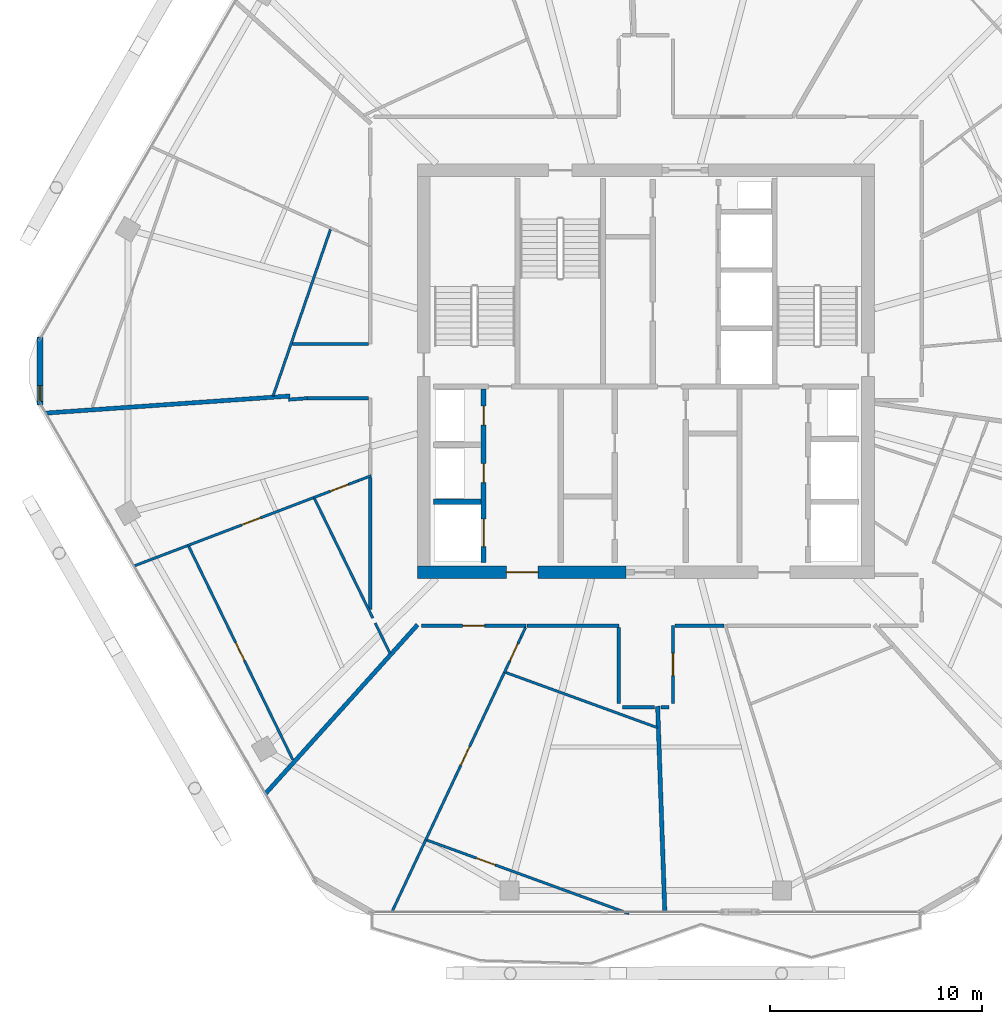
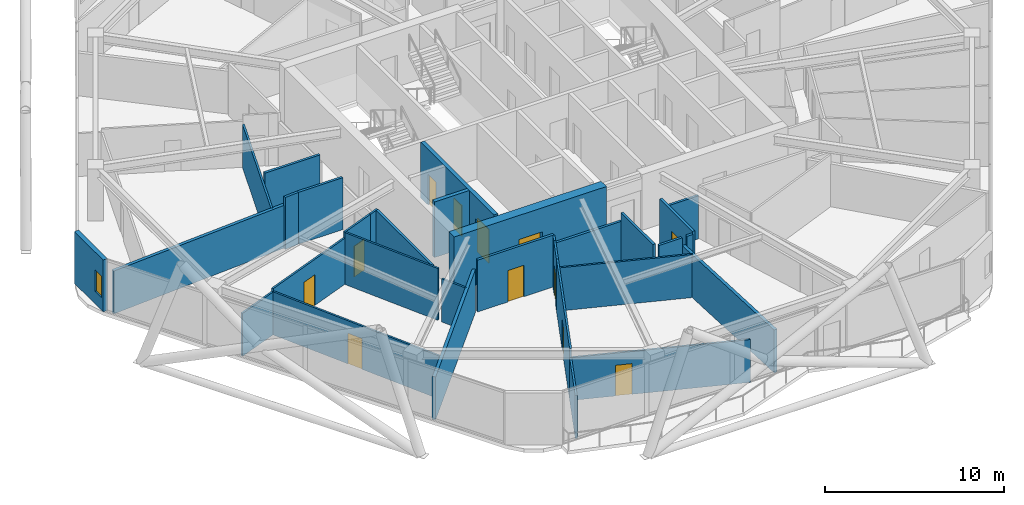
# One storey, part 20 of 26: 32 walls, 12 doors, 1 window, 13 openings.
"""IFC4 building model written with IfcOpenShell, lengths in metres."""

from ifc_helpers import new_model, si_unit, direction, frame, frame_2d, origin, place, context, subcontext, project, spatial, rectangle, extrude, material, layer, layer_set, type_object, element, fill, save


model = new_model("IFC4")

# Units and contexts
model_context = context("Model", 3, precision=1e-05, world=origin(), true_north=direction((0.0, 1.0)))
body_context = subcontext(model_context, "Body", "Model", "MODEL_VIEW")
ifc_project = project(units=[si_unit("LENGTHUNIT", "METRE"), si_unit("AREAUNIT", "SQUARE_METRE"), si_unit("VOLUMEUNIT", "CUBIC_METRE"), si_unit("PLANEANGLEUNIT", "RADIAN"), si_unit("MASSUNIT", "GRAM", prefix="KILO")], contexts=[model_context])

# Site, building, storey
site_placement = place(None, origin())
site = spatial("IfcSite", under=ifc_project, at=site_placement, CompositionType="ELEMENT")
building_placement = place(site_placement, origin())
building = spatial("IfcBuilding", under=site, at=building_placement, Name="Zuhravey Tower", CompositionType="ELEMENT")
storey_placement = place(building_placement, frame((0.0, 0.0, 231.199951171875)))
storey = spatial("IfcBuildingStorey", under=building, at=storey_placement, Name="L58", CompositionType="ELEMENT", Elevation=231.199951171875)

# Wall, opening, door
ifc_material_1 = material(Name="Concrete C50/60", Category="concrete")
ifc_layer_1 = layer(ifc_material_1, 0.60009765625)
ifc_layer_set_1 = layer_set([ifc_layer_1], Name="Concrete C50/60")
wall_type_1 = type_object("IfcWallType", Name="Core Shear Wall 600", PredefinedType="SHEAR", material=ifc_layer_set_1)
wall_1_placement = place(storey_placement, frame((25.199951171875, 22.5, 0.0), z_axis=(0.0, 0.0, 1.0), x_axis=(1.0, 0.0, 0.0)))
wall_1 = element("IfcWall", 1, at=wall_1_placement, inside=storey, type_object=wall_type_1, Name="L58 South-West Core Shear Wall CW60", PredefinedType="SHEAR", context=body_context, shape_type="SweptSolid", body=[
    extrude(rectangle(XDim=9.85009765625, YDim=0.60009765625, at=frame_2d((4.925048828125, 0.0))), origin(), (0.0, 0.0, 1.0), 3.800048828125),
])
opening_1_placement = place(wall_1_placement, frame((4.199951171875, 0.0, 0.0)))
opening_1 = element("IfcOpeningElement", 2, at=opening_1_placement, cuts=wall_1, Name="Opening FFD1", PredefinedType="OPENING", context=body_context, shape_type="SweptSolid", body=[
    extrude(rectangle(XDim=1.5, YDim=2.14990234375, at=frame_2d((0.75, 1.074951171875))), frame((0.0, 0.31201171875, 0.0), z_axis=(0.0, -1.0, 0.0), x_axis=(1.0, 0.0, 0.0)), (0.0, 0.0, 1.0), 0.6240234375),
])
ifc_material_2 = material(Name="Galvanised fire-rated steel leaf", Category="steel")
door_type_1 = type_object("IfcDoorType", Name="Firefighting Lobby Double Door 1500x2150", OperationType="DOUBLE_DOOR_SINGLE_SWING", PredefinedType="DOOR", material=ifc_material_2)
door_1_placement = place(opening_1_placement, origin())
door_1 = element("IfcDoor", 3, at=door_1_placement, inside=storey, type_object=door_type_1, Name="L58 Firefighting Lobby West Door", OperationType="DOUBLE_DOOR_SINGLE_SWING", OverallHeight=2.14990234375, OverallWidth=1.5, PredefinedType="DOOR", context=body_context, shape_type="SweptSolid", body=[
    extrude(rectangle(XDim=1.5, YDim=2.14990234375, at=frame_2d((0.75, 1.074951171875))), frame((0.0, 0.02490234375, 0.0), z_axis=(0.0, -1.0, 0.0), x_axis=(1.0, 0.0, 0.0)), (0.0, 0.0, 1.0), 0.050048828125),
])
fill(opening_1, door_1)

ifc_material_3 = material(Name="Gypsum fire-rated stud partition")
ifc_layer_2 = layer(ifc_material_3, 0.159912109375)
ifc_layer_set_2 = layer_set([ifc_layer_2], Name="Gypsum fire-rated stud partition")
wall_type_2 = type_object("IfcWallType", Name="Corridor Fire Partition 160", PredefinedType="PARTITIONING", material=ifc_layer_set_2)
wall_2_placement = place(storey_placement, frame((25.383544921875, 19.969970703125, 0.0), z_axis=(0.0, 0.0, 1.0), x_axis=(1.0, 0.0, 0.0)))
wall_2 = element("IfcWall", 4, at=wall_2_placement, inside=storey, type_object=wall_type_2, Name="L58 IW16 Partition 036", PredefinedType="PARTITIONING", context=body_context, shape_type="SweptSolid", body=[
    extrude(rectangle(XDim=4.94384765625, YDim=0.159912109375, at=frame_2d((2.471923828125, 0.0))), origin(), (0.0, 0.0, 1.0), 3.550048828125),
])
opening_2_placement = place(wall_2_placement, frame((1.947021484375, 0.0, 0.0)))
opening_2 = element("IfcOpeningElement", 5, at=opening_2_placement, cuts=wall_2, Name="Opening APD1", PredefinedType="OPENING", context=body_context, shape_type="SweptSolid", body=[
    extrude(rectangle(XDim=1.050048828125, YDim=2.14990234375, at=frame_2d((0.52490234375, 1.074951171875))), frame((0.0, 0.092041015625, 0.0), z_axis=(0.0, -1.0, 0.0), x_axis=(1.0, 0.0, 0.0)), (0.0, 0.0, 1.0), 0.183837890625),
])
ifc_material_4 = material(Name="Solid-core oak fire-rated leaf")
door_type_2 = type_object("IfcDoorType", Name="Apartment Entrance Fire Door 1050x2150", OperationType="NOTDEFINED", PredefinedType="DOOR", material=ifc_material_4)
door_2_placement = place(opening_2_placement, frame((1.050048828125, 0.0, 0.0), z_axis=(0.0, 0.0, 1.0), x_axis=(-1.0, 0.0, 0.0)))
door_2 = element("IfcDoor", 6, at=door_2_placement, inside=storey, type_object=door_type_2, Name="L58 Door 036.1", OperationType="SINGLE_SWING_RIGHT", OverallHeight=2.14990234375, OverallWidth=1.050048828125, PredefinedType="DOOR", context=body_context, shape_type="SweptSolid", body=[
    extrude(rectangle(XDim=1.050048828125, YDim=2.14990234375, at=frame_2d((0.52490234375, 1.074951171875))), frame((0.0, 0.02490234375, 0.0), z_axis=(0.0, -1.0, 0.0), x_axis=(1.0, 0.0, 0.0)), (0.0, 0.0, 1.0), 0.050048828125),
])
fill(opening_2, door_2)

wall_3_placement = place(storey_placement, frame((37.280029296875, 16.300048828125, 0.0), z_axis=(0.0, 0.0, 1.0), x_axis=(0.0, 1.0, 0.0)))
wall_3 = element("IfcWall", 7, at=wall_3_placement, inside=storey, type_object=wall_type_2, Name="L58 IW16 Partition 040", PredefinedType="PARTITIONING", context=body_context, shape_type="SweptSolid", body=[
    extrude(rectangle(XDim=3.669921875, YDim=0.159912109375, at=frame_2d((1.8349609375, 0.0))), origin(), (0.0, 0.0, 1.0), 3.550048828125),
])
opening_3_placement = place(wall_3_placement, frame((1.31005859375, 0.0, 0.0)))
opening_3 = element("IfcOpeningElement", 8, at=opening_3_placement, cuts=wall_3, Name="Opening APD1", PredefinedType="OPENING", context=body_context, shape_type="SweptSolid", body=[
    extrude(rectangle(XDim=1.050048828125, YDim=2.14990234375, at=frame_2d((0.52490234375, 1.074951171875))), frame((0.0, 0.092041015625, 0.0), z_axis=(0.0, -1.0, 0.0), x_axis=(1.0, 0.0, 0.0)), (0.0, 0.0, 1.0), 0.183837890625),
])
door_3_placement = place(opening_3_placement, frame((1.050048828125, 0.0, 0.0), z_axis=(0.0, 0.0, 1.0), x_axis=(-1.0, 0.0, 0.0)))
door_3 = element("IfcDoor", 9, at=door_3_placement, inside=storey, type_object=door_type_2, Name="L58 Door 040.1", OperationType="SINGLE_SWING_RIGHT", OverallHeight=2.14990234375, OverallWidth=1.050048828125, PredefinedType="DOOR", context=body_context, shape_type="SweptSolid", body=[
    extrude(rectangle(XDim=1.050048828125, YDim=2.14990234375, at=frame_2d((0.52490234375, 1.074951171875))), frame((0.0, 0.02490234375, 0.0), z_axis=(0.0, -1.0, 0.0), x_axis=(1.0, 0.0, 0.0)), (0.0, 0.0, 1.0), 0.050048828125),
])
fill(opening_3, door_3)

# Walls
wall_4_placement = place(storey_placement, frame((22.882080078125, 33.280029296875, 0.0), z_axis=(0.0, 0.0, 1.0), x_axis=(-1.0, 0.0, 0.0)))
element("IfcWall", 10, at=wall_4_placement, inside=storey, type_object=wall_type_2, Name="L58 IW16 Partition 098", PredefinedType="PARTITIONING", context=body_context, shape_type="SweptSolid", body=[
    extrude(rectangle(XDim=3.58203125, YDim=0.159912109375, at=frame_2d((1.791015625, 0.0))), origin(), (0.0, 0.0, 1.0), 3.550048828125),
])
wall_5_placement = place(storey_placement, frame((19.990966796875, 30.719970703125, 0.0), z_axis=(0.0, 0.0, 1.0), x_axis=(1.0, 0.0, 0.0)))
element("IfcWall", 11, at=wall_5_placement, inside=storey, type_object=wall_type_2, Name="L58 IW16 Partition 099", PredefinedType="PARTITIONING", context=body_context, shape_type="SweptSolid", body=[
    extrude(rectangle(XDim=2.89111328125, YDim=0.159912109375, at=frame_2d((1.445556640625, 0.0))), origin(), (0.0, 0.0, 1.0), 3.550048828125),
])
wall_6_placement = place(storey_placement, frame((19.1005859375, 30.64990234375, 0.0), z_axis=(0.0, 0.0, 1.0), x_axis=(0.9969178709, 0.078452270071, 0.0)))
element("IfcWall", 12, at=wall_6_placement, inside=storey, type_object=wall_type_2, Name="L58 IW16 Partition 100", PredefinedType="PARTITIONING", context=body_context, shape_type="SweptSolid", body=[
    extrude(rectangle(XDim=0.89306640625, YDim=0.159912109375, at=frame_2d((0.446533203125, 0.0))), origin(), (0.0, 0.0, 1.0), 3.550048828125),
])
wall_7_placement = place(storey_placement, frame((22.969970703125, 26.96728515625, 0.0), z_axis=(0.0, 0.0, 1.0), x_axis=(0.0, -1.0, 0.0)))
element("IfcWall", 13, at=wall_7_placement, inside=storey, type_object=wall_type_2, Name="L58 IW16 Partition 101", PredefinedType="PARTITIONING", context=body_context, shape_type="SweptSolid", body=[
    extrude(rectangle(XDim=6.240966796875, YDim=0.159912109375, at=frame_2d((3.12060546875, 0.0))), origin(), (0.0, 0.0, 1.0), 3.550048828125),
])
wall_8_placement = place(storey_placement, frame((30.37158203125, 19.969970703125, 0.0), z_axis=(0.0, 0.0, 1.0), x_axis=(1.0, 0.0, 0.0)))
element("IfcWall", 14, at=wall_8_placement, inside=storey, type_object=wall_type_2, Name="L58 IW16 Partition 102", PredefinedType="PARTITIONING", context=body_context, shape_type="SweptSolid", body=[
    extrude(rectangle(XDim=4.348388671875, YDim=0.159912109375, at=frame_2d((2.17431640625, 0.0))), origin(), (0.0, 0.0, 1.0), 2.949951171875),
])
wall_9_placement = place(storey_placement, frame((34.719970703125, 19.882080078125, 0.0), z_axis=(0.0, 0.0, 1.0), x_axis=(0.0, -1.0, 0.0)))
element("IfcWall", 15, at=wall_9_placement, inside=storey, type_object=wall_type_2, Name="L58 IW16 Partition 103", PredefinedType="PARTITIONING", context=body_context, shape_type="SweptSolid", body=[
    extrude(rectangle(XDim=3.58203125, YDim=0.159912109375, at=frame_2d((1.791015625, 0.0))), origin(), (0.0, 0.0, 1.0), 3.550048828125),
])
wall_10_placement = place(storey_placement, frame((34.89990234375, 16.1201171875, 0.0), z_axis=(0.0, 0.0, 1.0), x_axis=(1.0, 0.0, 0.0)))
element("IfcWall", 16, at=wall_10_placement, inside=storey, type_object=wall_type_2, Name="L58 IW16 Partition 104", PredefinedType="PARTITIONING", context=body_context, shape_type="SweptSolid", body=[
    extrude(rectangle(XDim=1.495849609375, YDim=0.159912109375, at=frame_2d((0.748046875, 0.0))), origin(), (0.0, 0.0, 1.0), 3.550048828125),
])
wall_11_placement = place(storey_placement, frame((37.367919921875, 19.969970703125, 0.0), z_axis=(0.0, 0.0, 1.0), x_axis=(1.0, 0.0, 0.0)))
element("IfcWall", 17, at=wall_11_placement, inside=storey, type_object=wall_type_2, Name="L58 IW16 Partition 105", PredefinedType="PARTITIONING", context=body_context, shape_type="SweptSolid", body=[
    extrude(rectangle(XDim=2.3125, YDim=0.159912109375, at=frame_2d((1.15625, 0.0))), origin(), (0.0, 0.0, 1.0), 2.949951171875),
])
wall_12_placement = place(storey_placement, frame((36.71337890625, 16.1201171875, 0.0), z_axis=(0.0, 0.0, 1.0), x_axis=(1.0, 0.0, 0.0)))
element("IfcWall", 18, at=wall_12_placement, inside=storey, type_object=wall_type_2, Name="L58 IW16 Partition 106", PredefinedType="PARTITIONING", context=body_context, shape_type="SweptSolid", body=[
    extrude(rectangle(XDim=0.38671875, YDim=0.159912109375, at=frame_2d((0.193359375, 0.0))), origin(), (0.0, 0.0, 1.0), 3.550048828125),
])

# Wall, opening, window
ifc_material_5 = material(Name="Precast concrete C40/50", Category="concrete")
ifc_layer_3 = layer(ifc_material_5, 0.280029296875)
ifc_layer_set_3 = layer_set([ifc_layer_3], Name="Precast concrete C40/50")
wall_type_3 = type_object("IfcWallType", Name="Crown Architectural Wall 280", PredefinedType="SOLIDWALL", material=ifc_layer_set_3)
wall_13_placement = place(storey_placement, frame((7.35498046875, 30.392578125, 0.0), z_axis=(0.0, 0.0, 1.0), x_axis=(0.0, 1.0, 0.0)))
wall_13 = element("IfcWall", 19, at=wall_13_placement, inside=storey, type_object=wall_type_3, Name="L58 Rounded Corner Closure Wall EW28-06", PredefinedType="SOLIDWALL", context=body_context, shape_type="SweptSolid", body=[
    extrude(rectangle(XDim=3.21484375, YDim=0.280029296875, at=frame_2d((1.607421875, 0.0))), origin(), (0.0, 0.0, 1.0), 3.550048828125),
])
opening_4_placement = place(wall_13_placement, frame((0.17578125, 0.0, 0.85009765625)))
opening_4 = element("IfcOpeningElement", 20, at=opening_4_placement, cuts=wall_13, Name="Opening WN5", PredefinedType="OPENING", context=body_context, shape_type="SweptSolid", body=[
    extrude(rectangle(XDim=0.75, YDim=1.5, at=frame_2d((0.375, 0.75))), frame((0.0, 0.152099609375, 0.0), z_axis=(0.0, -1.0, 0.0), x_axis=(1.0, 0.0, 0.0)), (0.0, 0.0, 1.0), 0.303955078125),
])
ifc_material_6 = material(Name="Thermally broken aluminium and triple low-E glass", Category="aluminium")
window_type = type_object("IfcWindowType", Name="Residential Corner Casement Window 750x1500", PartitioningType="SINGLE_PANEL", PredefinedType="WINDOW", material=ifc_material_6)
window_placement = place(opening_4_placement, origin())
window = element("IfcWindow", 21, at=window_placement, inside=storey, type_object=window_type, Name="L58 Corner Casement Window WN5-06.1", OverallHeight=1.5, OverallWidth=0.75, PartitioningType="SINGLE_PANEL", PredefinedType="WINDOW", context=body_context, shape_type="SweptSolid", body=[
    extrude(rectangle(XDim=0.75, YDim=1.5, at=frame_2d((0.375, 0.75))), frame((0.0, 0.030029296875, 0.0), z_axis=(0.0, -1.0, 0.0), x_axis=(1.0, 0.0, 0.0)), (0.0, 0.0, 1.0), 0.06005859375),
])
fill(opening_4, window)

# Wall
ifc_layer_4 = layer(ifc_material_1, 0.25)
ifc_layer_set_4 = layer_set([ifc_layer_4], Name="Concrete C50/60")
wall_type_4 = type_object("IfcWallType", Name="Firefighting Shaft & Stair Wall 250", PredefinedType="SOLIDWALL", material=ifc_layer_set_4)
wall_14_placement = place(storey_placement, frame((25.949951171875, 25.824951171875, 0.0), z_axis=(0.0, 0.0, 1.0), x_axis=(1.0, 0.0, 0.0)))
element("IfcWall", 22, at=wall_14_placement, inside=storey, type_object=wall_type_4, Name="L58 FW25 Shaft Wall 009", PredefinedType="SOLIDWALL", context=body_context, shape_type="SweptSolid", body=[
    extrude(rectangle(XDim=2.25, YDim=0.25, at=frame_2d((1.125, 0.0))), origin(), (0.0, 0.0, 1.0), 3.800048828125),
])

# Wall, openings, doors
wall_15_placement = place(storey_placement, frame((28.324951171875, 22.949951171875, 0.0), z_axis=(0.0, 0.0, 1.0), x_axis=(0.0, 1.0, 0.0)))
wall_15 = element("IfcWall", 23, at=wall_15_placement, inside=storey, type_object=wall_type_4, Name="L58 FW25 Shaft Wall 011", PredefinedType="SOLIDWALL", context=body_context, shape_type="SweptSolid", body=[
    extrude(rectangle(XDim=8.199951171875, YDim=0.25, at=frame_2d((4.10009765625, 0.0))), origin(), (0.0, 0.0, 1.0), 3.800048828125),
])
opening_5_placement = place(wall_15_placement, frame((0.75, 0.0, 0.0)))
opening_5 = element("IfcOpeningElement", 24, at=opening_5_placement, cuts=wall_15, Name="Opening LD2", PredefinedType="OPENING", context=body_context, shape_type="SweptSolid", body=[
    extrude(rectangle(XDim=1.300048828125, YDim=2.300048828125, at=frame_2d((0.64990234375, 1.14990234375))), frame((0.0, 0.136962890625, 0.0), z_axis=(0.0, -1.0, 0.0), x_axis=(1.0, 0.0, 0.0)), (0.0, 0.0, 1.0), 0.27392578125),
])
opening_6_placement = place(wall_15_placement, frame((3.780029296875, 0.0, 0.0)))
opening_6 = element("IfcOpeningElement", 25, at=opening_6_placement, cuts=wall_15, Name="Opening RSD1", PredefinedType="OPENING", context=body_context, shape_type="SweptSolid", body=[
    extrude(rectangle(XDim=0.89990234375, YDim=2.10009765625, at=frame_2d((0.449951171875, 1.050048828125))), frame((0.0, 0.136962890625, 0.0), z_axis=(0.0, -1.0, 0.0), x_axis=(1.0, 0.0, 0.0)), (0.0, 0.0, 1.0), 0.27392578125),
])
opening_7_placement = place(wall_15_placement, frame((6.5, 0.0, 0.0)))
opening_7 = element("IfcOpeningElement", 26, at=opening_7_placement, cuts=wall_15, Name="Opening RSD1", PredefinedType="OPENING", context=body_context, shape_type="SweptSolid", body=[
    extrude(rectangle(XDim=0.89990234375, YDim=2.10009765625, at=frame_2d((0.449951171875, 1.050048828125))), frame((0.0, 0.136962890625, 0.0), z_axis=(0.0, -1.0, 0.0), x_axis=(1.0, 0.0, 0.0)), (0.0, 0.0, 1.0), 0.27392578125),
])
ifc_material_7 = material(Name="Brushed stainless steel", Category="steel")
door_type_3 = type_object("IfcDoorType", Name="Freight & Stretcher Lift Sliding Door 1300x2300", OperationType="DOUBLE_DOOR_SLIDING", PredefinedType="DOOR", material=ifc_material_7)
door_4_placement = place(opening_5_placement, frame((1.300048828125, 0.0, 0.0), z_axis=(0.0, 0.0, 1.0), x_axis=(-1.0, 0.0, 0.0)))
door_4 = element("IfcDoor", 27, at=door_4_placement, inside=storey, type_object=door_type_3, Name="L58 Lift FF1 Landing Door", OperationType="DOUBLE_DOOR_SLIDING", OverallHeight=2.300048828125, OverallWidth=1.300048828125, PredefinedType="DOOR", context=body_context, shape_type="SweptSolid", body=[
    extrude(rectangle(XDim=1.300048828125, YDim=2.300048828125, at=frame_2d((0.64990234375, 1.14990234375))), frame((0.0, 0.02490234375, 0.0), z_axis=(0.0, -1.0, 0.0), x_axis=(1.0, 0.0, 0.0)), (0.0, 0.0, 1.0), 0.050048828125),
])
fill(opening_5, door_4)
ifc_material_8 = material(Name="Galvanised fire-rated steel access leaf", Category="steel")
door_type_4 = type_object("IfcDoorType", Name="Riser & Shaft Access Fire Door 900x2100", OperationType="NOTDEFINED", PredefinedType="DOOR", material=ifc_material_8)
door_5_placement = place(opening_6_placement, frame((0.89990234375, 0.0, 0.0), z_axis=(0.0, 0.0, 1.0), x_axis=(-1.0, 0.0, 0.0)))
door_5 = element("IfcDoor", 28, at=door_5_placement, inside=storey, type_object=door_type_4, Name="L58 Electrical Riser Door", OperationType="SINGLE_SWING_RIGHT", OverallHeight=2.10009765625, OverallWidth=0.89990234375, PredefinedType="DOOR", context=body_context, shape_type="SweptSolid", body=[
    extrude(rectangle(XDim=0.89990234375, YDim=2.10009765625, at=frame_2d((0.449951171875, 1.050048828125))), frame((0.0, 0.02490234375, 0.0), z_axis=(0.0, -1.0, 0.0), x_axis=(1.0, 0.0, 0.0)), (0.0, 0.0, 1.0), 0.050048828125),
])
fill(opening_6, door_5)
door_6_placement = place(opening_7_placement, frame((0.89990234375, 0.0, 0.0), z_axis=(0.0, 0.0, 1.0), x_axis=(-1.0, 0.0, 0.0)))
door_6 = element("IfcDoor", 29, at=door_6_placement, inside=storey, type_object=door_type_4, Name="L58 Smoke Shaft Access Door", OperationType="SINGLE_SWING_LEFT", OverallHeight=2.10009765625, OverallWidth=0.89990234375, PredefinedType="DOOR", context=body_context, shape_type="SweptSolid", body=[
    extrude(rectangle(XDim=0.89990234375, YDim=2.10009765625, at=frame_2d((0.449951171875, 1.050048828125))), frame((0.0, 0.02490234375, 0.0), z_axis=(0.0, -1.0, 0.0), x_axis=(1.0, 0.0, 0.0)), (0.0, 0.0, 1.0), 0.050048828125),
])
fill(opening_7, door_6)

# Walls
ifc_material_9 = material(Name="Gypsum double-stud party assembly")
ifc_layer_5 = layer(ifc_material_9, 0.199951171875)
ifc_layer_set_5 = layer_set([ifc_layer_5], Name="Gypsum double-stud party assembly")
wall_type_5 = type_object("IfcWallType", Name="Inter-Tenancy Party Wall 200", PredefinedType="PARTITIONING", material=ifc_layer_set_5)
wall_16_placement = place(storey_placement, frame((19.1826171875, 30.823974609375, 0.0), z_axis=(0.0, 0.0, 1.0), x_axis=(-0.997565085498, -0.069741667573, 0.0)))
element("IfcWall", 30, at=wall_16_placement, inside=storey, type_object=wall_type_5, Name="L58 IW20 Partition 066", PredefinedType="PARTITIONING", context=body_context, shape_type="SweptSolid", body=[
    extrude(rectangle(XDim=11.583740234375, YDim=0.199951171875, at=frame_2d((5.7919921875, 0.0))), origin(), (0.0, 0.0, 1.0), 2.929931640625),
])
wall_17_placement = place(storey_placement, frame((25.2041015625, 20.010009765625, 0.0), z_axis=(0.0, 0.0, 1.0), x_axis=(-0.669124143022, -0.743150645041, 0.0)))
element("IfcWall", 31, at=wall_17_placement, inside=storey, type_object=wall_type_5, Name="L58 IW20 Partition 071", PredefinedType="PARTITIONING", context=body_context, shape_type="SweptSolid", body=[
    extrude(rectangle(XDim=10.744873046875, YDim=0.199951171875, at=frame_2d((5.37255859375, 0.0))), origin(), (0.0, 0.0, 1.0), 2.929931640625),
])
wall_18_placement = place(storey_placement, frame((36.552978515625, 16.159912109375, 0.0), z_axis=(0.0, 0.0, 1.0), x_axis=(0.034903897424, -0.999390673333, 0.0)))
element("IfcWall", 32, at=wall_18_placement, inside=storey, type_object=wall_type_5, Name="L58 IW20 Partition 075", PredefinedType="PARTITIONING", context=body_context, shape_type="SweptSolid", body=[
    extrude(rectangle(XDim=9.7294921875, YDim=0.199951171875, at=frame_2d((4.86474609375, 0.0))), origin(), (0.0, 0.0, 1.0), 2.929931640625),
])

# Wall, opening, door
ifc_material_10 = material(Name="Gypsum metal-stud partition")
ifc_layer_6 = layer(ifc_material_10, 0.1201171875)
ifc_layer_set_6 = layer_set([ifc_layer_6], Name="Gypsum metal-stud partition")
wall_type_6 = type_object("IfcWallType", Name="Unit Internal Partition 120", PredefinedType="PARTITIONING", material=ifc_layer_set_6)
wall_19_placement = place(storey_placement, frame((22.39990234375, 26.822998046875, 0.0), z_axis=(0.0, 0.0, 1.0), x_axis=(-0.934561226784, -0.355802351583, 0.0)))
wall_19 = element("IfcWall", 33, at=wall_19_placement, inside=storey, type_object=wall_type_6, Name="L58 IW12 Partition 029", PredefinedType="PARTITIONING", context=body_context, shape_type="SweptSolid", body=[
    extrude(rectangle(XDim=2.26220703125, YDim=0.1201171875, at=frame_2d((1.131103515625, 0.0))), origin(), (0.0, 0.0, 1.0), 3.550048828125),
])
opening_8_placement = place(wall_19_placement, frame((0.500244140625, 0.0, 0.0)))
opening_8 = element("IfcOpeningElement", 34, at=opening_8_placement, cuts=wall_19, Name="Opening WCD1", PredefinedType="OPENING", context=body_context, shape_type="SweptSolid", body=[
    extrude(rectangle(XDim=0.89990234375, YDim=2.10009765625, at=frame_2d((0.449951171875, 1.050048828125))), frame((0.0, 0.072021484375, 0.0), z_axis=(0.0, -1.0, 0.0), x_axis=(1.0, 0.0, 0.0)), (0.0, 0.0, 1.0), 0.14404296875),
])
ifc_material_11 = material(Name="Moisture-resistant timber leaf", Category="wood")
door_type_5 = type_object("IfcDoorType", Name="Bathroom & WC Internal Door 900x2100", OperationType="NOTDEFINED", PredefinedType="DOOR", material=ifc_material_11)
door_7_placement = place(opening_8_placement, origin())
door_7 = element("IfcDoor", 35, at=door_7_placement, inside=storey, type_object=door_type_5, Name="Apartment L58-03 Bathroom Door", OperationType="SINGLE_SWING_LEFT", OverallHeight=2.10009765625, OverallWidth=0.89990234375, PredefinedType="DOOR", context=body_context, shape_type="SweptSolid", body=[
    extrude(rectangle(XDim=0.89990234375, YDim=2.10009765625, at=frame_2d((0.449951171875, 1.050048828125))), frame((0.0, 0.02490234375, 0.0), z_axis=(0.0, -1.0, 0.0), x_axis=(1.0, 0.0, 0.0)), (0.0, 0.0, 1.0), 0.050048828125),
])
fill(opening_8, door_7)

wall_20_placement = place(storey_placement, frame((20.28564453125, 26.01806640625, 0.0), z_axis=(0.0, 0.0, 1.0), x_axis=(-0.934578936747, -0.355755830577, 0.0)))
wall_20 = element("IfcWall", 36, at=wall_20_placement, inside=storey, type_object=wall_type_6, Name="L58 IW12 Partition 030", PredefinedType="PARTITIONING", context=body_context, shape_type="SweptSolid", body=[
    extrude(rectangle(XDim=6.35888671875, YDim=0.1201171875, at=frame_2d((3.179443359375, 0.0))), origin(), (0.0, 0.0, 1.0), 3.150146484375),
])
opening_9_placement = place(wall_20_placement, frame((2.679443359375, 0.0, 0.0)))
opening_9 = element("IfcOpeningElement", 37, at=opening_9_placement, cuts=wall_20, Name="Opening IND1", PredefinedType="OPENING", context=body_context, shape_type="SweptSolid", body=[
    extrude(rectangle(XDim=0.949951171875, YDim=2.10009765625, at=frame_2d((0.47509765625, 1.050048828125))), frame((0.0, 0.072021484375, 0.0), z_axis=(0.0, -1.0, 0.0), x_axis=(1.0, 0.0, 0.0)), (0.0, 0.0, 1.0), 0.14404296875),
])
ifc_material_12 = material(Name="Painted engineered timber leaf", Category="wood")
door_type_6 = type_object("IfcDoorType", Name="Internal Room & Bedroom Door 950x2100", OperationType="NOTDEFINED", PredefinedType="DOOR", material=ifc_material_12)
door_8_placement = place(opening_9_placement, origin())
door_8 = element("IfcDoor", 38, at=door_8_placement, inside=storey, type_object=door_type_6, Name="Apartment L58-03 Home Office Door", OperationType="SINGLE_SWING_RIGHT", OverallHeight=2.10009765625, OverallWidth=0.949951171875, PredefinedType="DOOR", context=body_context, shape_type="SweptSolid", body=[
    extrude(rectangle(XDim=0.949951171875, YDim=2.10009765625, at=frame_2d((0.47509765625, 1.050048828125))), frame((0.0, 0.02490234375, 0.0), z_axis=(0.0, -1.0, 0.0), x_axis=(1.0, 0.0, 0.0)), (0.0, 0.0, 1.0), 0.050048828125),
])
fill(opening_9, door_8)

wall_21_placement = place(storey_placement, frame((14.39599609375, 23.703369140625, 0.0), z_axis=(0.0, 0.0, 1.0), x_axis=(0.438369959887, -0.898794625189, 0.0)))
wall_21 = element("IfcWall", 39, at=wall_21_placement, inside=storey, type_object=wall_type_6, Name="L58 IW12 Partition 031", PredefinedType="PARTITIONING", context=body_context, shape_type="SweptSolid", body=[
    extrude(rectangle(XDim=11.20263671875, YDim=0.1201171875, at=frame_2d((5.601318359375, 0.0))), origin(), (0.0, 0.0, 1.0), 2.949951171875),
])
opening_10_placement = place(wall_21_placement, frame((5.0419921875, 0.0, 0.0)))
opening_10 = element("IfcOpeningElement", 40, at=opening_10_placement, cuts=wall_21, Name="Opening IND1", PredefinedType="OPENING", context=body_context, shape_type="SweptSolid", body=[
    extrude(rectangle(XDim=0.949951171875, YDim=2.10009765625, at=frame_2d((0.47509765625, 1.050048828125))), frame((0.0, 0.072021484375, 0.0), z_axis=(0.0, -1.0, 0.0), x_axis=(1.0, 0.0, 0.0)), (0.0, 0.0, 1.0), 0.14404296875),
])
door_9_placement = place(opening_10_placement, frame((0.949951171875, 0.0, 0.0), z_axis=(0.0, 0.0, 1.0), x_axis=(-1.0, 0.0, 0.0)))
door_9 = element("IfcDoor", 41, at=door_9_placement, inside=storey, type_object=door_type_6, Name="Apartment L58-03 Bedroom 1 Door", OperationType="SINGLE_SWING_LEFT", OverallHeight=2.10009765625, OverallWidth=0.949951171875, PredefinedType="DOOR", context=body_context, shape_type="SweptSolid", body=[
    extrude(rectangle(XDim=0.949951171875, YDim=2.10009765625, at=frame_2d((0.47509765625, 1.050048828125))), frame((0.0, 0.02490234375, 0.0), z_axis=(0.0, -1.0, 0.0), x_axis=(1.0, 0.0, 0.0)), (0.0, 0.0, 1.0), 0.050048828125),
])
fill(opening_10, door_9)

wall_22_placement = place(storey_placement, frame((30.08154296875, 19.39990234375, 0.0), z_axis=(0.0, 0.0, 1.0), x_axis=(-0.425163142446, -0.905116734077, 0.0)))
wall_22 = element("IfcWall", 42, at=wall_22_placement, inside=storey, type_object=wall_type_6, Name="L58 IW12 Partition 033", PredefinedType="PARTITIONING", context=body_context, shape_type="SweptSolid", body=[
    extrude(rectangle(XDim=1.818115234375, YDim=0.1201171875, at=frame_2d((0.9091796875, 0.0))), origin(), (0.0, 0.0, 1.0), 3.550048828125),
])
opening_11_placement = place(wall_22_placement, frame((0.313720703125, 0.0, 0.0)))
opening_11 = element("IfcOpeningElement", 43, at=opening_11_placement, cuts=wall_22, Name="Opening WCD1", PredefinedType="OPENING", context=body_context, shape_type="SweptSolid", body=[
    extrude(rectangle(XDim=0.89990234375, YDim=2.10009765625, at=frame_2d((0.449951171875, 1.050048828125))), frame((0.0, 0.072021484375, 0.0), z_axis=(0.0, -1.0, 0.0), x_axis=(1.0, 0.0, 0.0)), (0.0, 0.0, 1.0), 0.14404296875),
])
door_10_placement = place(opening_11_placement, origin())
door_10 = element("IfcDoor", 44, at=door_10_placement, inside=storey, type_object=door_type_5, Name="Apartment L58-04 Bathroom Door", OperationType="SINGLE_SWING_LEFT", OverallHeight=2.10009765625, OverallWidth=0.89990234375, PredefinedType="DOOR", context=body_context, shape_type="SweptSolid", body=[
    extrude(rectangle(XDim=0.89990234375, YDim=2.10009765625, at=frame_2d((0.449951171875, 1.050048828125))), frame((0.0, 0.02490234375, 0.0), z_axis=(0.0, -1.0, 0.0), x_axis=(1.0, 0.0, 0.0)), (0.0, 0.0, 1.0), 0.050048828125),
])
fill(opening_11, door_10)

wall_23_placement = place(storey_placement, frame((29.30859375, 17.75439453125, 0.0), z_axis=(0.0, 0.0, 1.0), x_axis=(-0.425138894448, -0.905128123763, 0.0)))
wall_23 = element("IfcWall", 45, at=wall_23_placement, inside=storey, type_object=wall_type_6, Name="L58 IW12 Partition 034", PredefinedType="PARTITIONING", context=body_context, shape_type="SweptSolid", body=[
    extrude(rectangle(XDim=8.755126953125, YDim=0.1201171875, at=frame_2d((4.37744140625, 0.0))), origin(), (0.0, 0.0, 1.0), 3.550048828125),
])
opening_12_placement = place(wall_23_placement, frame((3.87744140625, 0.0, 0.0)))
opening_12 = element("IfcOpeningElement", 46, at=opening_12_placement, cuts=wall_23, Name="Opening IND1", PredefinedType="OPENING", context=body_context, shape_type="SweptSolid", body=[
    extrude(rectangle(XDim=0.949951171875, YDim=2.10009765625, at=frame_2d((0.47509765625, 1.050048828125))), frame((0.0, 0.072021484375, 0.0), z_axis=(0.0, -1.0, 0.0), x_axis=(1.0, 0.0, 0.0)), (0.0, 0.0, 1.0), 0.14404296875),
])
door_11_placement = place(opening_12_placement, origin())
door_11 = element("IfcDoor", 47, at=door_11_placement, inside=storey, type_object=door_type_6, Name="Apartment L58-04 Home Office Door", OperationType="SINGLE_SWING_RIGHT", OverallHeight=2.10009765625, OverallWidth=0.949951171875, PredefinedType="DOOR", context=body_context, shape_type="SweptSolid", body=[
    extrude(rectangle(XDim=0.949951171875, YDim=2.10009765625, at=frame_2d((0.47509765625, 1.050048828125))), frame((0.0, 0.02490234375, 0.0), z_axis=(0.0, -1.0, 0.0), x_axis=(1.0, 0.0, 0.0)), (0.0, 0.0, 1.0), 0.050048828125),
])
fill(opening_12, door_11)

wall_24_placement = place(storey_placement, frame((25.661376953125, 9.8291015625, 0.0), z_axis=(0.0, 0.0, 1.0), x_axis=(0.939695099279, -0.342013333644, 0.0)))
wall_24 = element("IfcWall", 48, at=wall_24_placement, inside=storey, type_object=wall_type_6, Name="L58 IW12 Partition 035", PredefinedType="PARTITIONING", context=body_context, shape_type="SweptSolid", body=[
    extrude(rectangle(XDim=10.153564453125, YDim=0.1201171875, at=frame_2d((5.07666015625, 0.0))), origin(), (0.0, 0.0, 1.0), 2.929931640625),
])
opening_13_placement = place(wall_24_placement, frame((2.4697265625, 0.0, 0.0)))
opening_13 = element("IfcOpeningElement", 49, at=opening_13_placement, cuts=wall_24, Name="Opening IND1", PredefinedType="OPENING", context=body_context, shape_type="SweptSolid", body=[
    extrude(rectangle(XDim=0.949951171875, YDim=2.10009765625, at=frame_2d((0.47509765625, 1.050048828125))), frame((0.0, 0.072021484375, 0.0), z_axis=(0.0, -1.0, 0.0), x_axis=(1.0, 0.0, 0.0)), (0.0, 0.0, 1.0), 0.14404296875),
])
door_12_placement = place(opening_13_placement, frame((0.949951171875, 0.0, 0.0), z_axis=(0.0, 0.0, 1.0), x_axis=(-1.0, 0.0, 0.0)))
door_12 = element("IfcDoor", 50, at=door_12_placement, inside=storey, type_object=door_type_6, Name="Apartment L58-04 Bedroom 1 Door", OperationType="SINGLE_SWING_LEFT", OverallHeight=2.10009765625, OverallWidth=0.949951171875, PredefinedType="DOOR", context=body_context, shape_type="SweptSolid", body=[
    extrude(rectangle(XDim=0.949951171875, YDim=2.10009765625, at=frame_2d((0.47509765625, 1.050048828125))), frame((0.0, 0.02490234375, 0.0), z_axis=(0.0, -1.0, 0.0), x_axis=(1.0, 0.0, 0.0)), (0.0, 0.0, 1.0), 0.050048828125),
])
fill(opening_13, door_12)

# Walls
wall_25_placement = place(storey_placement, frame((21.0859375, 38.690673828125, 0.0), z_axis=(0.0, 0.0, 1.0), x_axis=(-0.325576573931, -0.9455156765, 0.0)))
element("IfcWall", 51, at=wall_25_placement, inside=storey, type_object=wall_type_6, Name="L58 IW12 Partition 065", PredefinedType="PARTITIONING", context=body_context, shape_type="SweptSolid", body=[
    extrude(rectangle(XDim=8.322021484375, YDim=0.1201171875, at=frame_2d((4.1611328125, 0.0))), origin(), (0.0, 0.0, 1.0), 2.949951171875),
])
wall_26_placement = place(storey_placement, frame((23.01318359375, 27.056396484375, 0.0), z_axis=(0.0, 0.0, 1.0), x_axis=(-0.934605562939, -0.355685875068, 0.0)))
element("IfcWall", 52, at=wall_26_placement, inside=storey, type_object=wall_type_6, Name="L58 IW12 Partition 067", PredefinedType="PARTITIONING", context=body_context, shape_type="SweptSolid", body=[
    extrude(rectangle(XDim=0.65625, YDim=0.1201171875, at=frame_2d((0.328125, 0.0))), origin(), (0.0, 0.0, 1.0), 3.550048828125),
])
wall_27_placement = place(storey_placement, frame((14.3427734375, 23.755859375, 0.0), z_axis=(0.0, 0.0, 1.0), x_axis=(-0.93457995238, -0.355753162472, 0.0)))
element("IfcWall", 53, at=wall_27_placement, inside=storey, type_object=wall_type_6, Name="L58 IW12 Partition 068", PredefinedType="PARTITIONING", context=body_context, shape_type="SweptSolid", body=[
    extrude(rectangle(XDim=2.72509765625, YDim=0.1201171875, at=frame_2d((1.362548828125, 0.0))), origin(), (0.0, 0.0, 1.0), 2.929931640625),
])
wall_28_placement = place(storey_placement, frame((20.339111328125, 25.965576171875, 0.0), z_axis=(0.0, 0.0, 1.0), x_axis=(0.438368444203, -0.898795364433, 0.0)))
element("IfcWall", 54, at=wall_28_placement, inside=storey, type_object=wall_type_6, Name="L58 IW12 Partition 069", PredefinedType="PARTITIONING", context=body_context, shape_type="SweptSolid", body=[
    extrude(rectangle(XDim=6.275390625, YDim=0.1201171875, at=frame_2d((3.1376953125, 0.0))), origin(), (0.0, 0.0, 1.0), 3.550048828125),
])
wall_29_placement = place(storey_placement, frame((23.20458984375, 20.090087890625, 0.0), z_axis=(0.0, 0.0, 1.0), x_axis=(0.43839655559, -0.898781653154, 0.0)))
element("IfcWall", 55, at=wall_29_placement, inside=storey, type_object=wall_type_6, Name="L58 IW12 Partition 070", PredefinedType="PARTITIONING", context=body_context, shape_type="SweptSolid", body=[
    extrude(rectangle(XDim=1.598876953125, YDim=0.1201171875, at=frame_2d((0.79931640625, 0.0))), origin(), (0.0, 0.0, 1.0), 2.949951171875),
])
wall_30_placement = place(storey_placement, frame((30.30810546875, 19.882080078125, 0.0), z_axis=(0.0, 0.0, 1.0), x_axis=(-0.425267300576, -0.905067800256, 0.0)))
element("IfcWall", 56, at=wall_30_placement, inside=storey, type_object=wall_type_6, Name="L58 IW12 Partition 072", PredefinedType="PARTITIONING", context=body_context, shape_type="SweptSolid", body=[
    extrude(rectangle(XDim=0.53271484375, YDim=0.1201171875, at=frame_2d((0.266357421875, 0.0))), origin(), (0.0, 0.0, 1.0), 3.550048828125),
])
wall_31_placement = place(storey_placement, frame((25.58642578125, 9.829833984375, 0.0), z_axis=(0.0, 0.0, 1.0), x_axis=(-0.425163933355, -0.90511636256, 0.0)))
element("IfcWall", 57, at=wall_31_placement, inside=storey, type_object=wall_type_6, Name="L58 IW12 Partition 073", PredefinedType="PARTITIONING", context=body_context, shape_type="SweptSolid", body=[
    extrude(rectangle(XDim=3.751953125, YDim=0.1201171875, at=frame_2d((1.8759765625, 0.0))), origin(), (0.0, 0.0, 1.0), 2.929931640625),
])
wall_32_placement = place(storey_placement, frame((29.38330078125, 17.753662109375, 0.0), z_axis=(0.0, 0.0, 1.0), x_axis=(0.939684825918, -0.342041558791, 0.0)))
element("IfcWall", 58, at=wall_32_placement, inside=storey, type_object=wall_type_6, Name="L58 IW12 Partition 074", PredefinedType="PARTITIONING", context=body_context, shape_type="SweptSolid", body=[
    extrude(rectangle(XDim=7.617431640625, YDim=0.1201171875, at=frame_2d((3.80859375, 0.0))), origin(), (0.0, 0.0, 1.0), 2.949951171875),
])

save(model, "model.ifc")
